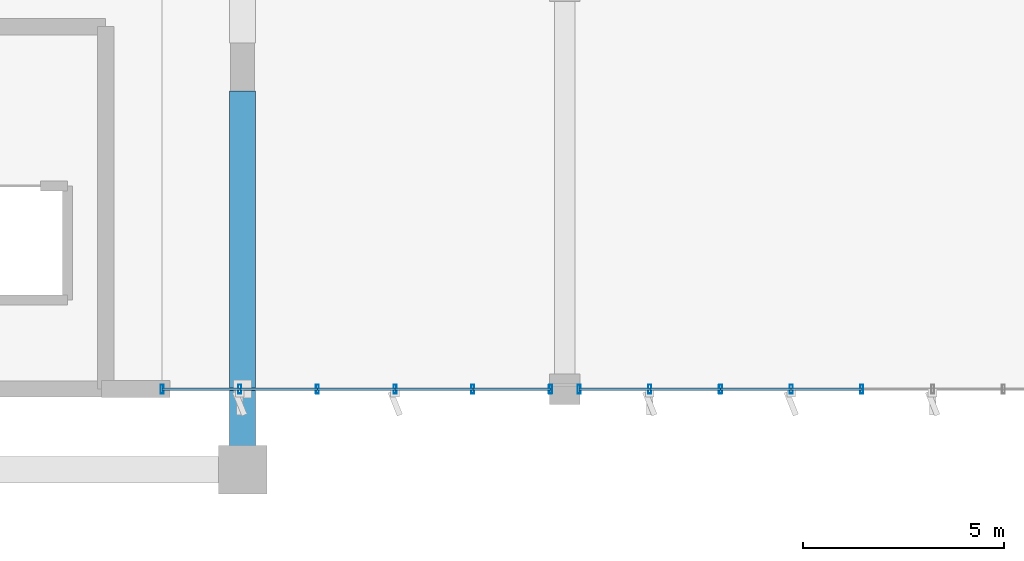
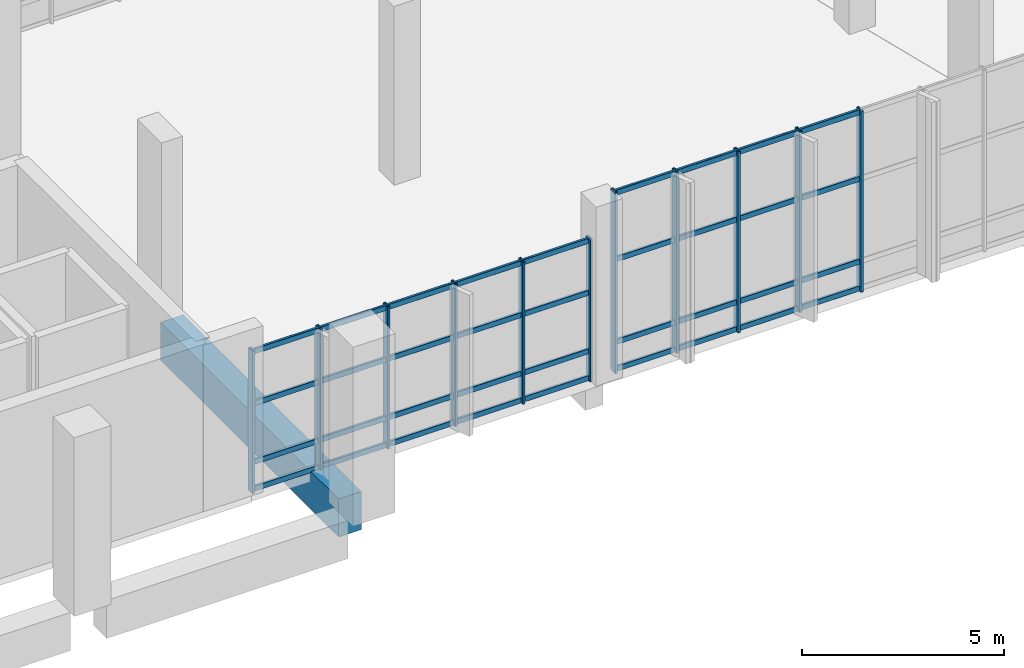
# One storey, part 68 of 176: 47 members, 1 beam, 2 elements without a shape of their own.
"""IFC4 building model written with IfcOpenShell, lengths in metres."""

from ifc_helpers import new_model, si_unit, direction, frame, origin, origin_2d, place, context, subcontext, project, spatial, rectangle, hollow_rectangle, extrude, material, layer, layer_set, material_profile, profile_set, type_object, element, aggregate, save


model = new_model("IFC4")

# Units and contexts
model_context = context("Model", 3, precision=1e-05, world=origin(), true_north=direction((0.0, 1.0)))
body_context = subcontext(model_context, "Body", "Model", "MODEL_VIEW")
ifc_project = project(units=[si_unit("LENGTHUNIT", "METRE"), si_unit("AREAUNIT", "SQUARE_METRE"), si_unit("VOLUMEUNIT", "CUBIC_METRE"), si_unit("PLANEANGLEUNIT", "RADIAN"), si_unit("MASSUNIT", "GRAM", prefix="KILO")], contexts=[model_context])

# Site, building, storey
site_placement = place(None, origin())
site = spatial("IfcSite", under=ifc_project, at=site_placement, CompositionType="ELEMENT")
building_placement = place(site_placement, origin())
building = spatial("IfcBuilding", under=site, at=building_placement, Name="Khorjan Park Terminus", CompositionType="ELEMENT")
storey_placement = place(building_placement, frame((0.0, 0.0, 6.0)))
storey = spatial("IfcBuildingStorey", under=building, at=storey_placement, Name="L01", CompositionType="ELEMENT", Elevation=6.0)

# Curtain wall, members
ifc_material_1 = material(Name="Anodized Bronze Aluminium", Category="aluminium")
ifc_layer = layer(ifc_material_1, 0.22)
ifc_layer_set = layer_set([ifc_layer], Name="Anodized Bronze Aluminium")
curtain_wall_type = type_object("IfcCurtainWallType", Name="CW-OPS-B", PredefinedType="NOTDEFINED", material=ifc_layer_set)
curtain_wall_1_placement = place(storey_placement, origin())
curtain_wall_1 = element("IfcCurtainWall", 1, at=curtain_wall_1_placement, inside=storey, type_object=curtain_wall_type, Name="Unitized curtain wall CW-B (CW-V5L-S-L01-1)", PredefinedType="NOTDEFINED")
ifc_material_profile_1 = material_profile(ifc_material_1, hollow_rectangle(XDim=0.075, YDim=0.225, WallThickness=0.005, InnerFilletRadius=0.005, OuterFilletRadius=0.01, at=origin_2d()), Name="ALM 75x225x5")
ifc_profile_set_1 = profile_set([ifc_material_profile_1], Name="Anodized Bronze Aluminium")
member_type_1 = type_object("IfcMemberType", Name="ML-ALM-225", PredefinedType="MULLION", material=ifc_profile_set_1)
member_1_placement = place(storey_placement, frame((134.0, 28.0, -0.035), z_axis=(0.0, 0.0, 1.0), x_axis=(1.0, 0.0, 0.0)))
member_1 = element("IfcMember", 2, at=member_1_placement, type_object=member_type_1, Name="Curtain-wall mullion ML-22 (CW-V5L-S-L01-1-0)", PredefinedType="MULLION", context=body_context, shape_type="SweptSolid", body=[
    extrude(hollow_rectangle(XDim=0.075, YDim=0.225, WallThickness=0.005, InnerFilletRadius=0.005, OuterFilletRadius=0.01, at=origin_2d()), origin(), (0.0, 0.0, 1.0), 4.295),
])
member_2_placement = place(storey_placement, frame((135.929, 28.0, -0.035), z_axis=(0.0, 0.0, 1.0), x_axis=(1.0, 0.0, 0.0)))
member_2 = element("IfcMember", 3, at=member_2_placement, type_object=member_type_1, Name="Curtain-wall mullion ML-22 (CW-V5L-S-L01-1-1)", PredefinedType="MULLION", context=body_context, shape_type="SweptSolid", body=[
    extrude(hollow_rectangle(XDim=0.075, YDim=0.225, WallThickness=0.005, InnerFilletRadius=0.005, OuterFilletRadius=0.01, at=origin_2d()), origin(), (0.0, 0.0, 1.0), 4.295),
])
member_3_placement = place(storey_placement, frame((137.858, 28.0, -0.035), z_axis=(0.0, 0.0, 1.0), x_axis=(1.0, 0.0, 0.0)))
member_3 = element("IfcMember", 4, at=member_3_placement, type_object=member_type_1, Name="Curtain-wall mullion ML-22 (CW-V5L-S-L01-1-2)", PredefinedType="MULLION", context=body_context, shape_type="SweptSolid", body=[
    extrude(hollow_rectangle(XDim=0.075, YDim=0.225, WallThickness=0.005, InnerFilletRadius=0.005, OuterFilletRadius=0.01, at=origin_2d()), origin(), (0.0, 0.0, 1.0), 4.295),
])
member_4_placement = place(storey_placement, frame((139.787, 28.0, -0.035), z_axis=(0.0, 0.0, 1.0), x_axis=(1.0, 0.0, 0.0)))
member_4 = element("IfcMember", 5, at=member_4_placement, type_object=member_type_1, Name="Curtain-wall mullion ML-22 (CW-V5L-S-L01-1-3)", PredefinedType="MULLION", context=body_context, shape_type="SweptSolid", body=[
    extrude(hollow_rectangle(XDim=0.075, YDim=0.225, WallThickness=0.005, InnerFilletRadius=0.005, OuterFilletRadius=0.01, at=origin_2d()), origin(), (0.0, 0.0, 1.0), 4.295),
])
member_5_placement = place(storey_placement, frame((141.716, 28.0, -0.035), z_axis=(0.0, 0.0, 1.0), x_axis=(1.0, 0.0, 0.0)))
member_5 = element("IfcMember", 6, at=member_5_placement, type_object=member_type_1, Name="Curtain-wall mullion ML-22 (CW-V5L-S-L01-1-4)", PredefinedType="MULLION", context=body_context, shape_type="SweptSolid", body=[
    extrude(hollow_rectangle(XDim=0.075, YDim=0.225, WallThickness=0.005, InnerFilletRadius=0.005, OuterFilletRadius=0.01, at=origin_2d()), origin(), (0.0, 0.0, 1.0), 4.295),
])
member_6_placement = place(storey_placement, frame((143.645, 28.0, -0.035), z_axis=(0.0, 0.0, 1.0), x_axis=(1.0, 0.0, 0.0)))
member_6 = element("IfcMember", 7, at=member_6_placement, type_object=member_type_1, Name="Curtain-wall mullion ML-22 (CW-V5L-S-L01-1-5)", PredefinedType="MULLION", context=body_context, shape_type="SweptSolid", body=[
    extrude(hollow_rectangle(XDim=0.075, YDim=0.225, WallThickness=0.005, InnerFilletRadius=0.005, OuterFilletRadius=0.01, at=origin_2d()), origin(), (0.0, 0.0, 1.0), 4.295),
])

curtain_wall_2_placement = place(storey_placement, origin())
curtain_wall_2 = element("IfcCurtainWall", 8, at=curtain_wall_2_placement, inside=storey, type_object=curtain_wall_type, Name="Unitized curtain wall CW-B (CW-V5L-S-L01-2)", PredefinedType="NOTDEFINED")
member_7_placement = place(storey_placement, frame((144.355, 28.0, -0.035), z_axis=(0.0, 0.0, 1.0), x_axis=(1.0, 0.0, 0.0)))
member_7 = element("IfcMember", 9, at=member_7_placement, type_object=member_type_1, Name="Curtain-wall mullion ML-22 (CW-V5L-S-L01-2-0)", PredefinedType="MULLION", context=body_context, shape_type="SweptSolid", body=[
    extrude(hollow_rectangle(XDim=0.075, YDim=0.225, WallThickness=0.005, InnerFilletRadius=0.005, OuterFilletRadius=0.01, at=origin_2d()), origin(), (0.0, 0.0, 1.0), 5.47),
])
member_8_placement = place(storey_placement, frame((146.1107, 28.0, -0.035), z_axis=(0.0, 0.0, 1.0), x_axis=(1.0, 0.0, 0.0)))
member_8 = element("IfcMember", 10, at=member_8_placement, type_object=member_type_1, Name="Curtain-wall mullion ML-22 (CW-V5L-S-L01-2-1)", PredefinedType="MULLION", context=body_context, shape_type="SweptSolid", body=[
    extrude(hollow_rectangle(XDim=0.075, YDim=0.225, WallThickness=0.005, InnerFilletRadius=0.005, OuterFilletRadius=0.01, at=origin_2d()), origin(), (0.0, 0.0, 1.0), 5.47),
])
member_9_placement = place(storey_placement, frame((147.8664, 28.0, -0.035), z_axis=(0.0, 0.0, 1.0), x_axis=(1.0, 0.0, 0.0)))
member_9 = element("IfcMember", 11, at=member_9_placement, type_object=member_type_1, Name="Curtain-wall mullion ML-22 (CW-V5L-S-L01-2-2)", PredefinedType="MULLION", context=body_context, shape_type="SweptSolid", body=[
    extrude(hollow_rectangle(XDim=0.075, YDim=0.225, WallThickness=0.005, InnerFilletRadius=0.005, OuterFilletRadius=0.01, at=origin_2d()), origin(), (0.0, 0.0, 1.0), 5.47),
])
member_10_placement = place(storey_placement, frame((149.6221, 28.0, -0.035), z_axis=(0.0, 0.0, 1.0), x_axis=(1.0, 0.0, 0.0)))
member_10 = element("IfcMember", 12, at=member_10_placement, type_object=member_type_1, Name="Curtain-wall mullion ML-22 (CW-V5L-S-L01-2-3)", PredefinedType="MULLION", context=body_context, shape_type="SweptSolid", body=[
    extrude(hollow_rectangle(XDim=0.075, YDim=0.225, WallThickness=0.005, InnerFilletRadius=0.005, OuterFilletRadius=0.01, at=origin_2d()), origin(), (0.0, 0.0, 1.0), 5.47),
])
member_11_placement = place(storey_placement, frame((151.3779, 28.0, -0.035), z_axis=(0.0, 0.0, 1.0), x_axis=(1.0, 0.0, 0.0)))
member_11 = element("IfcMember", 13, at=member_11_placement, type_object=member_type_1, Name="Curtain-wall mullion ML-22 (CW-V5L-S-L01-2-4)", PredefinedType="MULLION", context=body_context, shape_type="SweptSolid", body=[
    extrude(hollow_rectangle(XDim=0.075, YDim=0.225, WallThickness=0.005, InnerFilletRadius=0.005, OuterFilletRadius=0.01, at=origin_2d()), origin(), (0.0, 0.0, 1.0), 5.47),
])

# Beam
ifc_material_2 = material(Name="Concrete C50/60", Category="concrete")
ifc_material_profile_2 = material_profile(ifc_material_2, rectangle(XDim=0.65, YDim=1.15, at=origin_2d()), Name="RC 650x1150")
ifc_profile_set_2 = profile_set([ifc_material_profile_2], Name="Concrete C50/60")
beam_type = type_object("IfcBeamType", Name="SP-RC650x1150", PredefinedType="SPANDREL", material=ifc_profile_set_2)
beam_placement = place(storey_placement, frame((136.0, 26.595, -0.575), z_axis=(0.0, 1.0, 0.0), x_axis=(-1.0, 0.0, 0.0)))
element("IfcBeam", 14, at=beam_placement, inside=storey, type_object=beam_type, Name="Concourse lower colonnade ring beam SP-11 (L01-24)", PredefinedType="SPANDREL", context=body_context, shape_type="SweptSolid", body=[
    extrude(rectangle(XDim=0.65, YDim=1.15, at=origin_2d()), origin(), (0.0, 0.0, 1.0), 8.81),
])

# Member
ifc_material_profile_3 = material_profile(ifc_material_1, hollow_rectangle(XDim=0.07, YDim=0.16, WallThickness=0.004, InnerFilletRadius=0.004, OuterFilletRadius=0.008, at=origin_2d()), Name="ALT 70x160x4")
ifc_profile_set_3 = profile_set([ifc_material_profile_3], Name="Anodized Bronze Aluminium")
member_type_2 = type_object("IfcMemberType", Name="TR-ALT-160", PredefinedType="USERDEFINED", material=ifc_profile_set_3)
member_12_placement = place(storey_placement, frame((134.0, 28.0, 0.04), z_axis=(1.0, 0.0, 0.0), x_axis=(0.0, 1.0, 0.0)))
member_12 = element("IfcMember", 15, at=member_12_placement, type_object=member_type_2, Name="Curtain-wall transom TR-16 (CW-V5L-S-L01-1-0-1)", ObjectType="TRANSOM", PredefinedType="USERDEFINED", context=body_context, shape_type="SweptSolid", body=[
    extrude(hollow_rectangle(XDim=0.07, YDim=0.16, WallThickness=0.004, InnerFilletRadius=0.004, OuterFilletRadius=0.008, at=origin_2d()), origin(), (0.0, 0.0, 1.0), 1.929),
])

member_13_placement = place(storey_placement, frame((134.0, 28.0, 0.85), z_axis=(1.0, 0.0, 0.0), x_axis=(0.0, 1.0, 0.0)))
member_13 = element("IfcMember", 16, at=member_13_placement, type_object=member_type_2, Name="Curtain-wall transom TR-16 (CW-V5L-S-L01-1-0-2)", ObjectType="TRANSOM", PredefinedType="USERDEFINED", context=body_context, shape_type="SweptSolid", body=[
    extrude(hollow_rectangle(XDim=0.07, YDim=0.16, WallThickness=0.004, InnerFilletRadius=0.004, OuterFilletRadius=0.008, at=origin_2d()), origin(), (0.0, 0.0, 1.0), 1.929),
])

member_14_placement = place(storey_placement, frame((134.0, 28.0, 2.6195), z_axis=(1.0, 0.0, 0.0), x_axis=(0.0, 1.0, 0.0)))
member_14 = element("IfcMember", 17, at=member_14_placement, type_object=member_type_2, Name="Curtain-wall transom TR-16 (CW-V5L-S-L01-1-0-3)", ObjectType="TRANSOM", PredefinedType="USERDEFINED", context=body_context, shape_type="SweptSolid", body=[
    extrude(hollow_rectangle(XDim=0.07, YDim=0.16, WallThickness=0.004, InnerFilletRadius=0.004, OuterFilletRadius=0.008, at=origin_2d()), origin(), (0.0, 0.0, 1.0), 1.929),
])

member_15_placement = place(storey_placement, frame((134.0, 28.0, 4.185), z_axis=(1.0, 0.0, 0.0), x_axis=(0.0, 1.0, 0.0)))
member_15 = element("IfcMember", 18, at=member_15_placement, type_object=member_type_2, Name="Curtain-wall transom TR-16 (CW-V5L-S-L01-1-0-4)", ObjectType="TRANSOM", PredefinedType="USERDEFINED", context=body_context, shape_type="SweptSolid", body=[
    extrude(hollow_rectangle(XDim=0.07, YDim=0.16, WallThickness=0.004, InnerFilletRadius=0.004, OuterFilletRadius=0.008, at=origin_2d()), origin(), (0.0, 0.0, 1.0), 1.929),
])

member_16_placement = place(storey_placement, frame((135.929, 28.0, 0.04), z_axis=(1.0, 0.0, 0.0), x_axis=(0.0, 1.0, 0.0)))
member_16 = element("IfcMember", 19, at=member_16_placement, type_object=member_type_2, Name="Curtain-wall transom TR-16 (CW-V5L-S-L01-1-1-1)", ObjectType="TRANSOM", PredefinedType="USERDEFINED", context=body_context, shape_type="SweptSolid", body=[
    extrude(hollow_rectangle(XDim=0.07, YDim=0.16, WallThickness=0.004, InnerFilletRadius=0.004, OuterFilletRadius=0.008, at=origin_2d()), origin(), (0.0, 0.0, 1.0), 1.929),
])

member_17_placement = place(storey_placement, frame((135.929, 28.0, 0.85), z_axis=(1.0, 0.0, 0.0), x_axis=(0.0, 1.0, 0.0)))
member_17 = element("IfcMember", 20, at=member_17_placement, type_object=member_type_2, Name="Curtain-wall transom TR-16 (CW-V5L-S-L01-1-1-2)", ObjectType="TRANSOM", PredefinedType="USERDEFINED", context=body_context, shape_type="SweptSolid", body=[
    extrude(hollow_rectangle(XDim=0.07, YDim=0.16, WallThickness=0.004, InnerFilletRadius=0.004, OuterFilletRadius=0.008, at=origin_2d()), origin(), (0.0, 0.0, 1.0), 1.929),
])

member_18_placement = place(storey_placement, frame((135.929, 28.0, 2.6195), z_axis=(1.0, 0.0, 0.0), x_axis=(0.0, 1.0, 0.0)))
member_18 = element("IfcMember", 21, at=member_18_placement, type_object=member_type_2, Name="Curtain-wall transom TR-16 (CW-V5L-S-L01-1-1-3)", ObjectType="TRANSOM", PredefinedType="USERDEFINED", context=body_context, shape_type="SweptSolid", body=[
    extrude(hollow_rectangle(XDim=0.07, YDim=0.16, WallThickness=0.004, InnerFilletRadius=0.004, OuterFilletRadius=0.008, at=origin_2d()), origin(), (0.0, 0.0, 1.0), 1.929),
])

member_19_placement = place(storey_placement, frame((135.929, 28.0, 4.185), z_axis=(1.0, 0.0, 0.0), x_axis=(0.0, 1.0, 0.0)))
member_19 = element("IfcMember", 22, at=member_19_placement, type_object=member_type_2, Name="Curtain-wall transom TR-16 (CW-V5L-S-L01-1-1-4)", ObjectType="TRANSOM", PredefinedType="USERDEFINED", context=body_context, shape_type="SweptSolid", body=[
    extrude(hollow_rectangle(XDim=0.07, YDim=0.16, WallThickness=0.004, InnerFilletRadius=0.004, OuterFilletRadius=0.008, at=origin_2d()), origin(), (0.0, 0.0, 1.0), 1.929),
])

member_20_placement = place(storey_placement, frame((137.858, 28.0, 0.04), z_axis=(1.0, 0.0, 0.0), x_axis=(0.0, 1.0, 0.0)))
member_20 = element("IfcMember", 23, at=member_20_placement, type_object=member_type_2, Name="Curtain-wall transom TR-16 (CW-V5L-S-L01-1-2-1)", ObjectType="TRANSOM", PredefinedType="USERDEFINED", context=body_context, shape_type="SweptSolid", body=[
    extrude(hollow_rectangle(XDim=0.07, YDim=0.16, WallThickness=0.004, InnerFilletRadius=0.004, OuterFilletRadius=0.008, at=origin_2d()), origin(), (0.0, 0.0, 1.0), 1.929),
])

member_21_placement = place(storey_placement, frame((137.858, 28.0, 0.85), z_axis=(1.0, 0.0, 0.0), x_axis=(0.0, 1.0, 0.0)))
member_21 = element("IfcMember", 24, at=member_21_placement, type_object=member_type_2, Name="Curtain-wall transom TR-16 (CW-V5L-S-L01-1-2-2)", ObjectType="TRANSOM", PredefinedType="USERDEFINED", context=body_context, shape_type="SweptSolid", body=[
    extrude(hollow_rectangle(XDim=0.07, YDim=0.16, WallThickness=0.004, InnerFilletRadius=0.004, OuterFilletRadius=0.008, at=origin_2d()), origin(), (0.0, 0.0, 1.0), 1.929),
])

member_22_placement = place(storey_placement, frame((137.858, 28.0, 2.6195), z_axis=(1.0, 0.0, 0.0), x_axis=(0.0, 1.0, 0.0)))
member_22 = element("IfcMember", 25, at=member_22_placement, type_object=member_type_2, Name="Curtain-wall transom TR-16 (CW-V5L-S-L01-1-2-3)", ObjectType="TRANSOM", PredefinedType="USERDEFINED", context=body_context, shape_type="SweptSolid", body=[
    extrude(hollow_rectangle(XDim=0.07, YDim=0.16, WallThickness=0.004, InnerFilletRadius=0.004, OuterFilletRadius=0.008, at=origin_2d()), origin(), (0.0, 0.0, 1.0), 1.929),
])

member_23_placement = place(storey_placement, frame((137.858, 28.0, 4.185), z_axis=(1.0, 0.0, 0.0), x_axis=(0.0, 1.0, 0.0)))
member_23 = element("IfcMember", 26, at=member_23_placement, type_object=member_type_2, Name="Curtain-wall transom TR-16 (CW-V5L-S-L01-1-2-4)", ObjectType="TRANSOM", PredefinedType="USERDEFINED", context=body_context, shape_type="SweptSolid", body=[
    extrude(hollow_rectangle(XDim=0.07, YDim=0.16, WallThickness=0.004, InnerFilletRadius=0.004, OuterFilletRadius=0.008, at=origin_2d()), origin(), (0.0, 0.0, 1.0), 1.929),
])

member_24_placement = place(storey_placement, frame((139.787, 28.0, 0.04), z_axis=(1.0, 0.0, 0.0), x_axis=(0.0, 1.0, 0.0)))
member_24 = element("IfcMember", 27, at=member_24_placement, type_object=member_type_2, Name="Curtain-wall transom TR-16 (CW-V5L-S-L01-1-3-1)", ObjectType="TRANSOM", PredefinedType="USERDEFINED", context=body_context, shape_type="SweptSolid", body=[
    extrude(hollow_rectangle(XDim=0.07, YDim=0.16, WallThickness=0.004, InnerFilletRadius=0.004, OuterFilletRadius=0.008, at=origin_2d()), origin(), (0.0, 0.0, 1.0), 1.929),
])

member_25_placement = place(storey_placement, frame((139.787, 28.0, 0.85), z_axis=(1.0, 0.0, 0.0), x_axis=(0.0, 1.0, 0.0)))
member_25 = element("IfcMember", 28, at=member_25_placement, type_object=member_type_2, Name="Curtain-wall transom TR-16 (CW-V5L-S-L01-1-3-2)", ObjectType="TRANSOM", PredefinedType="USERDEFINED", context=body_context, shape_type="SweptSolid", body=[
    extrude(hollow_rectangle(XDim=0.07, YDim=0.16, WallThickness=0.004, InnerFilletRadius=0.004, OuterFilletRadius=0.008, at=origin_2d()), origin(), (0.0, 0.0, 1.0), 1.929),
])

member_26_placement = place(storey_placement, frame((139.787, 28.0, 2.6195), z_axis=(1.0, 0.0, 0.0), x_axis=(0.0, 1.0, 0.0)))
member_26 = element("IfcMember", 29, at=member_26_placement, type_object=member_type_2, Name="Curtain-wall transom TR-16 (CW-V5L-S-L01-1-3-3)", ObjectType="TRANSOM", PredefinedType="USERDEFINED", context=body_context, shape_type="SweptSolid", body=[
    extrude(hollow_rectangle(XDim=0.07, YDim=0.16, WallThickness=0.004, InnerFilletRadius=0.004, OuterFilletRadius=0.008, at=origin_2d()), origin(), (0.0, 0.0, 1.0), 1.929),
])

member_27_placement = place(storey_placement, frame((139.787, 28.0, 4.185), z_axis=(1.0, 0.0, 0.0), x_axis=(0.0, 1.0, 0.0)))
member_27 = element("IfcMember", 30, at=member_27_placement, type_object=member_type_2, Name="Curtain-wall transom TR-16 (CW-V5L-S-L01-1-3-4)", ObjectType="TRANSOM", PredefinedType="USERDEFINED", context=body_context, shape_type="SweptSolid", body=[
    extrude(hollow_rectangle(XDim=0.07, YDim=0.16, WallThickness=0.004, InnerFilletRadius=0.004, OuterFilletRadius=0.008, at=origin_2d()), origin(), (0.0, 0.0, 1.0), 1.929),
])

member_28_placement = place(storey_placement, frame((141.716, 28.0, 0.04), z_axis=(1.0, 0.0, 0.0), x_axis=(0.0, 1.0, 0.0)))
member_28 = element("IfcMember", 31, at=member_28_placement, type_object=member_type_2, Name="Curtain-wall transom TR-16 (CW-V5L-S-L01-1-4-1)", ObjectType="TRANSOM", PredefinedType="USERDEFINED", context=body_context, shape_type="SweptSolid", body=[
    extrude(hollow_rectangle(XDim=0.07, YDim=0.16, WallThickness=0.004, InnerFilletRadius=0.004, OuterFilletRadius=0.008, at=origin_2d()), origin(), (0.0, 0.0, 1.0), 1.929),
])

member_29_placement = place(storey_placement, frame((141.716, 28.0, 0.85), z_axis=(1.0, 0.0, 0.0), x_axis=(0.0, 1.0, 0.0)))
member_29 = element("IfcMember", 32, at=member_29_placement, type_object=member_type_2, Name="Curtain-wall transom TR-16 (CW-V5L-S-L01-1-4-2)", ObjectType="TRANSOM", PredefinedType="USERDEFINED", context=body_context, shape_type="SweptSolid", body=[
    extrude(hollow_rectangle(XDim=0.07, YDim=0.16, WallThickness=0.004, InnerFilletRadius=0.004, OuterFilletRadius=0.008, at=origin_2d()), origin(), (0.0, 0.0, 1.0), 1.929),
])

member_30_placement = place(storey_placement, frame((141.716, 28.0, 2.6195), z_axis=(1.0, 0.0, 0.0), x_axis=(0.0, 1.0, 0.0)))
member_30 = element("IfcMember", 33, at=member_30_placement, type_object=member_type_2, Name="Curtain-wall transom TR-16 (CW-V5L-S-L01-1-4-3)", ObjectType="TRANSOM", PredefinedType="USERDEFINED", context=body_context, shape_type="SweptSolid", body=[
    extrude(hollow_rectangle(XDim=0.07, YDim=0.16, WallThickness=0.004, InnerFilletRadius=0.004, OuterFilletRadius=0.008, at=origin_2d()), origin(), (0.0, 0.0, 1.0), 1.929),
])

member_31_placement = place(storey_placement, frame((141.716, 28.0, 4.185), z_axis=(1.0, 0.0, 0.0), x_axis=(0.0, 1.0, 0.0)))
member_31 = element("IfcMember", 34, at=member_31_placement, type_object=member_type_2, Name="Curtain-wall transom TR-16 (CW-V5L-S-L01-1-4-4)", ObjectType="TRANSOM", PredefinedType="USERDEFINED", context=body_context, shape_type="SweptSolid", body=[
    extrude(hollow_rectangle(XDim=0.07, YDim=0.16, WallThickness=0.004, InnerFilletRadius=0.004, OuterFilletRadius=0.008, at=origin_2d()), origin(), (0.0, 0.0, 1.0), 1.929),
])

aggregate(curtain_wall_1, [member_1, member_2, member_3, member_4, member_5, member_6, member_12, member_13, member_14, member_15, member_16, member_17, member_18, member_19, member_20, member_21, member_22, member_23, member_24, member_25, member_26, member_27, member_28, member_29, member_30, member_31])

member_32_placement = place(storey_placement, frame((144.355, 28.0, 0.04), z_axis=(1.0, 0.0, 0.0), x_axis=(0.0, 1.0, 0.0)))
member_32 = element("IfcMember", 35, at=member_32_placement, type_object=member_type_2, Name="Curtain-wall transom TR-16 (CW-V5L-S-L01-2-0-1)", ObjectType="TRANSOM", PredefinedType="USERDEFINED", context=body_context, shape_type="SweptSolid", body=[
    extrude(hollow_rectangle(XDim=0.07, YDim=0.16, WallThickness=0.004, InnerFilletRadius=0.004, OuterFilletRadius=0.008, at=origin_2d()), origin(), (0.0, 0.0, 1.0), 1.7557),
])

member_33_placement = place(storey_placement, frame((144.355, 28.0, 0.85), z_axis=(1.0, 0.0, 0.0), x_axis=(0.0, 1.0, 0.0)))
member_33 = element("IfcMember", 36, at=member_33_placement, type_object=member_type_2, Name="Curtain-wall transom TR-16 (CW-V5L-S-L01-2-0-2)", ObjectType="TRANSOM", PredefinedType="USERDEFINED", context=body_context, shape_type="SweptSolid", body=[
    extrude(hollow_rectangle(XDim=0.07, YDim=0.16, WallThickness=0.004, InnerFilletRadius=0.004, OuterFilletRadius=0.008, at=origin_2d()), origin(), (0.0, 0.0, 1.0), 1.7557),
])

member_34_placement = place(storey_placement, frame((144.355, 28.0, 3.348), z_axis=(1.0, 0.0, 0.0), x_axis=(0.0, 1.0, 0.0)))
member_34 = element("IfcMember", 37, at=member_34_placement, type_object=member_type_2, Name="Curtain-wall transom TR-16 (CW-V5L-S-L01-2-0-3)", ObjectType="TRANSOM", PredefinedType="USERDEFINED", context=body_context, shape_type="SweptSolid", body=[
    extrude(hollow_rectangle(XDim=0.07, YDim=0.16, WallThickness=0.004, InnerFilletRadius=0.004, OuterFilletRadius=0.008, at=origin_2d()), origin(), (0.0, 0.0, 1.0), 1.7557),
])

member_35_placement = place(storey_placement, frame((144.355, 28.0, 5.36), z_axis=(1.0, 0.0, 0.0), x_axis=(0.0, 1.0, 0.0)))
member_35 = element("IfcMember", 38, at=member_35_placement, type_object=member_type_2, Name="Curtain-wall transom TR-16 (CW-V5L-S-L01-2-0-4)", ObjectType="TRANSOM", PredefinedType="USERDEFINED", context=body_context, shape_type="SweptSolid", body=[
    extrude(hollow_rectangle(XDim=0.07, YDim=0.16, WallThickness=0.004, InnerFilletRadius=0.004, OuterFilletRadius=0.008, at=origin_2d()), origin(), (0.0, 0.0, 1.0), 1.7557),
])

member_36_placement = place(storey_placement, frame((146.1107, 28.0, 0.04), z_axis=(1.0, 0.0, 0.0), x_axis=(0.0, 1.0, 0.0)))
member_36 = element("IfcMember", 39, at=member_36_placement, type_object=member_type_2, Name="Curtain-wall transom TR-16 (CW-V5L-S-L01-2-1-1)", ObjectType="TRANSOM", PredefinedType="USERDEFINED", context=body_context, shape_type="SweptSolid", body=[
    extrude(hollow_rectangle(XDim=0.07, YDim=0.16, WallThickness=0.004, InnerFilletRadius=0.004, OuterFilletRadius=0.008, at=origin_2d()), origin(), (0.0, 0.0, 1.0), 1.7557),
])

member_37_placement = place(storey_placement, frame((146.1107, 28.0, 0.85), z_axis=(1.0, 0.0, 0.0), x_axis=(0.0, 1.0, 0.0)))
member_37 = element("IfcMember", 40, at=member_37_placement, type_object=member_type_2, Name="Curtain-wall transom TR-16 (CW-V5L-S-L01-2-1-2)", ObjectType="TRANSOM", PredefinedType="USERDEFINED", context=body_context, shape_type="SweptSolid", body=[
    extrude(hollow_rectangle(XDim=0.07, YDim=0.16, WallThickness=0.004, InnerFilletRadius=0.004, OuterFilletRadius=0.008, at=origin_2d()), origin(), (0.0, 0.0, 1.0), 1.7557),
])

member_38_placement = place(storey_placement, frame((146.1107, 28.0, 3.348), z_axis=(1.0, 0.0, 0.0), x_axis=(0.0, 1.0, 0.0)))
member_38 = element("IfcMember", 41, at=member_38_placement, type_object=member_type_2, Name="Curtain-wall transom TR-16 (CW-V5L-S-L01-2-1-3)", ObjectType="TRANSOM", PredefinedType="USERDEFINED", context=body_context, shape_type="SweptSolid", body=[
    extrude(hollow_rectangle(XDim=0.07, YDim=0.16, WallThickness=0.004, InnerFilletRadius=0.004, OuterFilletRadius=0.008, at=origin_2d()), origin(), (0.0, 0.0, 1.0), 1.7557),
])

member_39_placement = place(storey_placement, frame((146.1107, 28.0, 5.36), z_axis=(1.0, 0.0, 0.0), x_axis=(0.0, 1.0, 0.0)))
member_39 = element("IfcMember", 42, at=member_39_placement, type_object=member_type_2, Name="Curtain-wall transom TR-16 (CW-V5L-S-L01-2-1-4)", ObjectType="TRANSOM", PredefinedType="USERDEFINED", context=body_context, shape_type="SweptSolid", body=[
    extrude(hollow_rectangle(XDim=0.07, YDim=0.16, WallThickness=0.004, InnerFilletRadius=0.004, OuterFilletRadius=0.008, at=origin_2d()), origin(), (0.0, 0.0, 1.0), 1.7557),
])

member_40_placement = place(storey_placement, frame((147.8664, 28.0, 0.04), z_axis=(1.0, 0.0, 0.0), x_axis=(0.0, 1.0, 0.0)))
member_40 = element("IfcMember", 43, at=member_40_placement, type_object=member_type_2, Name="Curtain-wall transom TR-16 (CW-V5L-S-L01-2-2-1)", ObjectType="TRANSOM", PredefinedType="USERDEFINED", context=body_context, shape_type="SweptSolid", body=[
    extrude(hollow_rectangle(XDim=0.07, YDim=0.16, WallThickness=0.004, InnerFilletRadius=0.004, OuterFilletRadius=0.008, at=origin_2d()), origin(), (0.0, 0.0, 1.0), 1.7557),
])

member_41_placement = place(storey_placement, frame((147.8664, 28.0, 0.85), z_axis=(1.0, 0.0, 0.0), x_axis=(0.0, 1.0, 0.0)))
member_41 = element("IfcMember", 44, at=member_41_placement, type_object=member_type_2, Name="Curtain-wall transom TR-16 (CW-V5L-S-L01-2-2-2)", ObjectType="TRANSOM", PredefinedType="USERDEFINED", context=body_context, shape_type="SweptSolid", body=[
    extrude(hollow_rectangle(XDim=0.07, YDim=0.16, WallThickness=0.004, InnerFilletRadius=0.004, OuterFilletRadius=0.008, at=origin_2d()), origin(), (0.0, 0.0, 1.0), 1.7557),
])

member_42_placement = place(storey_placement, frame((147.8664, 28.0, 3.348), z_axis=(1.0, 0.0, 0.0), x_axis=(0.0, 1.0, 0.0)))
member_42 = element("IfcMember", 45, at=member_42_placement, type_object=member_type_2, Name="Curtain-wall transom TR-16 (CW-V5L-S-L01-2-2-3)", ObjectType="TRANSOM", PredefinedType="USERDEFINED", context=body_context, shape_type="SweptSolid", body=[
    extrude(hollow_rectangle(XDim=0.07, YDim=0.16, WallThickness=0.004, InnerFilletRadius=0.004, OuterFilletRadius=0.008, at=origin_2d()), origin(), (0.0, 0.0, 1.0), 1.7557),
])

member_43_placement = place(storey_placement, frame((147.8664, 28.0, 5.36), z_axis=(1.0, 0.0, 0.0), x_axis=(0.0, 1.0, 0.0)))
member_43 = element("IfcMember", 46, at=member_43_placement, type_object=member_type_2, Name="Curtain-wall transom TR-16 (CW-V5L-S-L01-2-2-4)", ObjectType="TRANSOM", PredefinedType="USERDEFINED", context=body_context, shape_type="SweptSolid", body=[
    extrude(hollow_rectangle(XDim=0.07, YDim=0.16, WallThickness=0.004, InnerFilletRadius=0.004, OuterFilletRadius=0.008, at=origin_2d()), origin(), (0.0, 0.0, 1.0), 1.7557),
])

member_44_placement = place(storey_placement, frame((149.6221, 28.0, 0.04), z_axis=(1.0, 0.0, 0.0), x_axis=(0.0, 1.0, 0.0)))
member_44 = element("IfcMember", 47, at=member_44_placement, type_object=member_type_2, Name="Curtain-wall transom TR-16 (CW-V5L-S-L01-2-3-1)", ObjectType="TRANSOM", PredefinedType="USERDEFINED", context=body_context, shape_type="SweptSolid", body=[
    extrude(hollow_rectangle(XDim=0.07, YDim=0.16, WallThickness=0.004, InnerFilletRadius=0.004, OuterFilletRadius=0.008, at=origin_2d()), origin(), (0.0, 0.0, 1.0), 1.7558),
])

member_45_placement = place(storey_placement, frame((149.6221, 28.0, 0.85), z_axis=(1.0, 0.0, 0.0), x_axis=(0.0, 1.0, 0.0)))
member_45 = element("IfcMember", 48, at=member_45_placement, type_object=member_type_2, Name="Curtain-wall transom TR-16 (CW-V5L-S-L01-2-3-2)", ObjectType="TRANSOM", PredefinedType="USERDEFINED", context=body_context, shape_type="SweptSolid", body=[
    extrude(hollow_rectangle(XDim=0.07, YDim=0.16, WallThickness=0.004, InnerFilletRadius=0.004, OuterFilletRadius=0.008, at=origin_2d()), origin(), (0.0, 0.0, 1.0), 1.7558),
])

member_46_placement = place(storey_placement, frame((149.6221, 28.0, 3.348), z_axis=(1.0, 0.0, 0.0), x_axis=(0.0, 1.0, 0.0)))
member_46 = element("IfcMember", 49, at=member_46_placement, type_object=member_type_2, Name="Curtain-wall transom TR-16 (CW-V5L-S-L01-2-3-3)", ObjectType="TRANSOM", PredefinedType="USERDEFINED", context=body_context, shape_type="SweptSolid", body=[
    extrude(hollow_rectangle(XDim=0.07, YDim=0.16, WallThickness=0.004, InnerFilletRadius=0.004, OuterFilletRadius=0.008, at=origin_2d()), origin(), (0.0, 0.0, 1.0), 1.7558),
])

member_47_placement = place(storey_placement, frame((149.6221, 28.0, 5.36), z_axis=(1.0, 0.0, 0.0), x_axis=(0.0, 1.0, 0.0)))
member_47 = element("IfcMember", 50, at=member_47_placement, type_object=member_type_2, Name="Curtain-wall transom TR-16 (CW-V5L-S-L01-2-3-4)", ObjectType="TRANSOM", PredefinedType="USERDEFINED", context=body_context, shape_type="SweptSolid", body=[
    extrude(hollow_rectangle(XDim=0.07, YDim=0.16, WallThickness=0.004, InnerFilletRadius=0.004, OuterFilletRadius=0.008, at=origin_2d()), origin(), (0.0, 0.0, 1.0), 1.7558),
])

aggregate(curtain_wall_2, [member_7, member_8, member_9, member_10, member_11, member_32, member_33, member_34, member_35, member_36, member_37, member_38, member_39, member_40, member_41, member_42, member_43, member_44, member_45, member_46, member_47])

save(model, "model.ifc")
